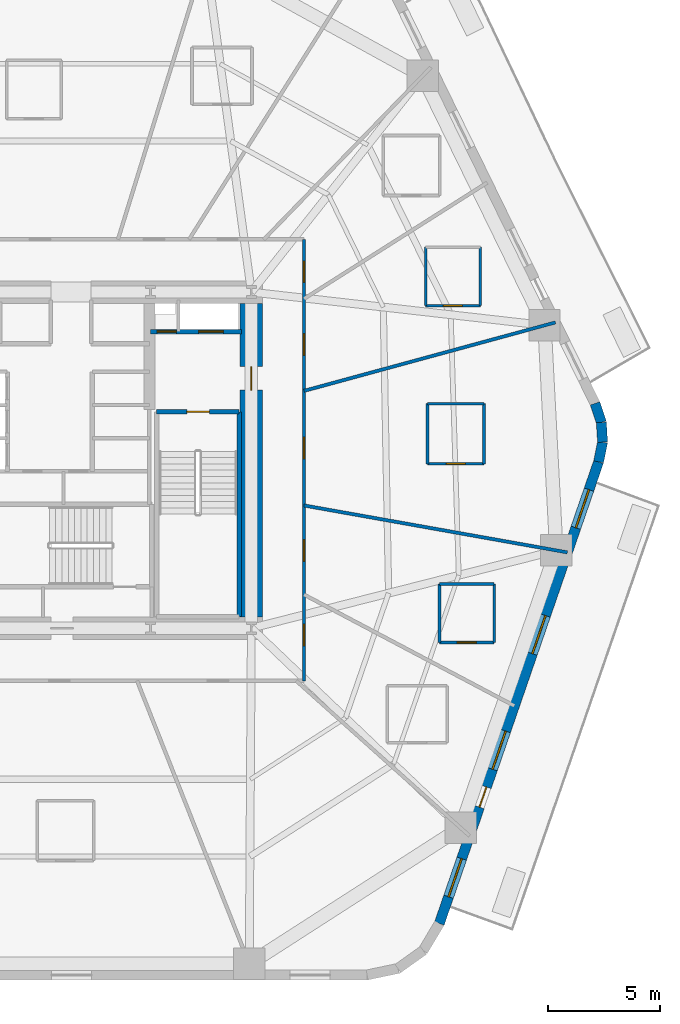
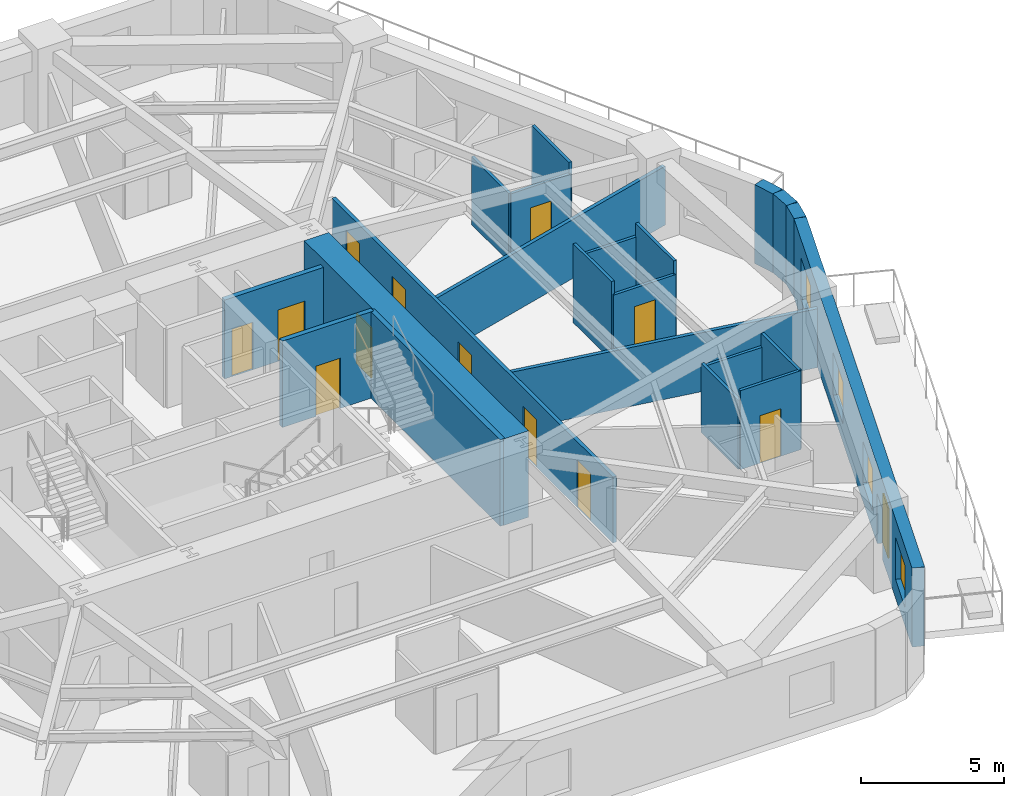
# One storey, part 5 of 10: 22 walls, 13 doors, 4 windows, 17 openings.
"""IFC4 building model written with IfcOpenShell, lengths in metres."""

from ifc_helpers import new_model, si_unit, direction, frame, frame_2d, origin, place, context, subcontext, project, spatial, rectangle, extrude, material, layer, layer_set, type_object, element, fill, save


model = new_model("IFC4")

# Units and contexts
model_context = context("Model", 3, precision=1e-05, world=origin(), true_north=direction((0.0, 1.0)))
body_context = subcontext(model_context, "Body", "Model", "MODEL_VIEW")
ifc_project = project(units=[si_unit("LENGTHUNIT", "METRE"), si_unit("AREAUNIT", "SQUARE_METRE"), si_unit("VOLUMEUNIT", "CUBIC_METRE"), si_unit("PLANEANGLEUNIT", "RADIAN"), si_unit("MASSUNIT", "GRAM", prefix="KILO")], contexts=[model_context])

# Site, building, storey
site_placement = place(None, origin())
site = spatial("IfcSite", under=ifc_project, at=site_placement, CompositionType="ELEMENT")
building_placement = place(site_placement, origin())
building = spatial("IfcBuilding", under=site, at=building_placement, Name="Kilnhurst Terrace Hotel", CompositionType="ELEMENT")
storey_placement = place(building_placement, frame((0.0, 0.0, 82.300048828125)))
storey = spatial("IfcBuildingStorey", under=building, at=storey_placement, Name="L19", CompositionType="ELEMENT", Elevation=82.300048828125)

# Walls
ifc_material_1 = material(Name="Precast concrete C40/50", Category="concrete")
ifc_layer_1 = layer(ifc_material_1, 0.449951171875, Name="Precast concrete C40/50")
ifc_layer_set_1 = layer_set([ifc_layer_1], Name="Precast concrete C40/50")
wall_type_1 = type_object("IfcWallType", Name="WL-BRK-450", PredefinedType="SOLIDWALL", material=ifc_layer_set_1)
wall_1_placement = place(storey_placement, frame((24.49560546875, -0.07666015625, 0.0), z_axis=(0.0, 0.0, 1.0), x_axis=(0.199570594521, 0.979883451132, 0.0)))
element("IfcWall", 1, at=wall_1_placement, inside=storey, type_object=wall_type_1, Name="L19 Rounded Corner Brick Wall C3.1", PredefinedType="SOLIDWALL", context=body_context, shape_type="SweptSolid", body=[
    extrude(rectangle(XDim=0.896728515625, YDim=0.449951171875, at=frame_2d((0.4482421875, 0.0))), origin(), (0.0, 0.0, 1.0), 3.3798828125),
])
wall_2_placement = place(storey_placement, frame((24.674560546875, 0.802001953125, 0.0), z_axis=(0.0, 0.0, 1.0), x_axis=(-0.061188874166, 0.998126205286, 0.0)))
element("IfcWall", 2, at=wall_2_placement, inside=storey, type_object=wall_type_1, Name="L19 Rounded Corner Brick Wall C3.2", PredefinedType="SOLIDWALL", context=body_context, shape_type="SweptSolid", body=[
    extrude(rectangle(XDim=0.8818359375, YDim=0.449951171875, at=frame_2d((0.44091796875, 0.0))), origin(), (0.0, 0.0, 1.0), 3.3798828125),
])
wall_3_placement = place(storey_placement, frame((24.62060546875, 1.68212890625, 0.0), z_axis=(0.0, 0.0, 1.0), x_axis=(-0.317697451681, 0.948192137278, 0.0)))
element("IfcWall", 3, at=wall_3_placement, inside=storey, type_object=wall_type_1, Name="L19 Rounded Corner Brick Wall C3.3", PredefinedType="SOLIDWALL", context=body_context, shape_type="SweptSolid", body=[
    extrude(rectangle(XDim=0.896728515625, YDim=0.449951171875, at=frame_2d((0.4482421875, 0.0))), origin(), (0.0, 0.0, 1.0), 3.3798828125),
])

# Wall, openings, door, windows
wall_4_placement = place(storey_placement, frame((17.3896484375, -20.678466796875, 0.0), z_axis=(0.0, 0.0, 1.0), x_axis=(0.326068018294, 0.945346310854, 0.0)))
wall_4 = element("IfcWall", 4, at=wall_4_placement, inside=storey, type_object=wall_type_1, Name="L19 Exterior Brick Facade Wall F2", PredefinedType="SOLIDWALL", context=body_context, shape_type="SweptSolid", body=[
    extrude(rectangle(XDim=21.79296875, YDim=0.449951171875, at=frame_2d((10.896484375, 0.0))), origin(), (0.0, 0.0, 1.0), 3.3798828125),
])
opening_1_placement = place(wall_4_placement, frame((5.492919921875, 0.0, 0.0)))
opening_1 = element("IfcOpeningElement", 5, at=opening_1_placement, cuts=wall_4, Name="Opening BD-950", PredefinedType="OPENING", context=body_context, shape_type="SweptSolid", body=[
    extrude(rectangle(XDim=0.949951171875, YDim=2.14990234375, at=frame_2d((0.47509765625, 1.074951171875))), frame((0.0, 0.23486328125, 0.0), z_axis=(0.0, -1.0, 0.0), x_axis=(1.0, 0.0, 0.0)), (0.0, 0.0, 1.0), 0.469970703125),
])
opening_2_placement = place(wall_4_placement, frame((1.260009765625, 0.0, 0.800048828125)))
opening_2 = element("IfcOpeningElement", 6, at=opening_2_placement, cuts=wall_4, Name="Opening W-01", PredefinedType="OPENING", context=body_context, shape_type="SweptSolid", body=[
    extrude(rectangle(XDim=1.800048828125, YDim=1.800048828125, at=frame_2d((0.89990234375, 0.89990234375))), frame((0.0, 0.23486328125, 0.0), z_axis=(0.0, -1.0, 0.0), x_axis=(1.0, 0.0, 0.0)), (0.0, 0.0, 1.0), 0.469970703125),
])
opening_3_placement = place(wall_4_placement, frame((7.282958984375, 0.0, 0.800048828125)))
opening_3 = element("IfcOpeningElement", 7, at=opening_3_placement, cuts=wall_4, Name="Opening W-01", PredefinedType="OPENING", context=body_context, shape_type="SweptSolid", body=[
    extrude(rectangle(XDim=1.800048828125, YDim=1.800048828125, at=frame_2d((0.89990234375, 0.89990234375))), frame((0.0, 0.23486328125, 0.0), z_axis=(0.0, -1.0, 0.0), x_axis=(1.0, 0.0, 0.0)), (0.0, 0.0, 1.0), 0.469970703125),
])
opening_4_placement = place(wall_4_placement, frame((12.736083984375, 0.0, 0.800048828125)))
opening_4 = element("IfcOpeningElement", 8, at=opening_4_placement, cuts=wall_4, Name="Opening W-01", PredefinedType="OPENING", context=body_context, shape_type="SweptSolid", body=[
    extrude(rectangle(XDim=1.800048828125, YDim=1.800048828125, at=frame_2d((0.89990234375, 0.89990234375))), frame((0.0, 0.23486328125, 0.0), z_axis=(0.0, -1.0, 0.0), x_axis=(1.0, 0.0, 0.0)), (0.0, 0.0, 1.0), 0.469970703125),
])
opening_5_placement = place(wall_4_placement, frame((18.679931640625, 0.0, 0.800048828125)))
opening_5 = element("IfcOpeningElement", 9, at=opening_5_placement, cuts=wall_4, Name="Opening W-01", PredefinedType="OPENING", context=body_context, shape_type="SweptSolid", body=[
    extrude(rectangle(XDim=1.800048828125, YDim=1.800048828125, at=frame_2d((0.89990234375, 0.89990234375))), frame((0.0, 0.23486328125, 0.0), z_axis=(0.0, -1.0, 0.0), x_axis=(1.0, 0.0, 0.0)), (0.0, 0.0, 1.0), 0.469970703125),
])
ifc_material_2 = material(Name="Thermally Broken Bronze Aluminium Alloy 6063-T6 and Laminated Glass", Category="aluminium")
door_type_1 = type_object("IfcDoorType", Name="DR-EXT-BAL-950", OperationType="NOTDEFINED", PredefinedType="DOOR", material=ifc_material_2)
door_1_placement = place(opening_1_placement, origin())
door_1 = element("IfcDoor", 10, at=door_1_placement, inside=storey, type_object=door_type_1, Name="L19 Planted Balcony Door BAL-L1A", OperationType="SINGLE_SWING_RIGHT", OverallHeight=2.14990234375, OverallWidth=0.949951171875, PredefinedType="DOOR", context=body_context, shape_type="SweptSolid", body=[
    extrude(rectangle(XDim=0.949951171875, YDim=2.14990234375, at=frame_2d((0.47509765625, 1.074951171875))), frame((0.0, 0.02490234375, 0.0), z_axis=(0.0, -1.0, 0.0), x_axis=(1.0, 0.0, 0.0)), (0.0, 0.0, 1.0), 0.050048828125),
])
fill(opening_1, door_1)
ifc_material_3 = material(Name="Thermally Broken Bronze Aluminium Alloy 6063-T6 and Low-E Glass", Category="aluminium")
window_type = type_object("IfcWindowType", Name="WIN-1800X1800", PartitioningType="SINGLE_PANEL", PredefinedType="WINDOW", material=ifc_material_3)
window_1_placement = place(opening_2_placement, origin())
window_1 = element("IfcWindow", 11, at=window_1_placement, inside=storey, type_object=window_type, Name="L19 Deep-Set Masonry Window F2.1", OverallHeight=1.800048828125, OverallWidth=1.800048828125, PartitioningType="SINGLE_PANEL", PredefinedType="WINDOW", context=body_context, shape_type="SweptSolid", body=[
    extrude(rectangle(XDim=1.800048828125, YDim=1.800048828125, at=frame_2d((0.89990234375, 0.89990234375))), frame((0.0, 0.030029296875, 0.0), z_axis=(0.0, -1.0, 0.0), x_axis=(1.0, 0.0, 0.0)), (0.0, 0.0, 1.0), 0.06005859375),
])
fill(opening_2, window_1)
window_2_placement = place(opening_3_placement, origin())
window_2 = element("IfcWindow", 12, at=window_2_placement, inside=storey, type_object=window_type, Name="L19 Deep-Set Masonry Window F2.2", OverallHeight=1.800048828125, OverallWidth=1.800048828125, PartitioningType="SINGLE_PANEL", PredefinedType="WINDOW", context=body_context, shape_type="SweptSolid", body=[
    extrude(rectangle(XDim=1.800048828125, YDim=1.800048828125, at=frame_2d((0.89990234375, 0.89990234375))), frame((0.0, 0.030029296875, 0.0), z_axis=(0.0, -1.0, 0.0), x_axis=(1.0, 0.0, 0.0)), (0.0, 0.0, 1.0), 0.06005859375),
])
fill(opening_3, window_2)
window_3_placement = place(opening_4_placement, origin())
window_3 = element("IfcWindow", 13, at=window_3_placement, inside=storey, type_object=window_type, Name="L19 Deep-Set Masonry Window F2.3", OverallHeight=1.800048828125, OverallWidth=1.800048828125, PartitioningType="SINGLE_PANEL", PredefinedType="WINDOW", context=body_context, shape_type="SweptSolid", body=[
    extrude(rectangle(XDim=1.800048828125, YDim=1.800048828125, at=frame_2d((0.89990234375, 0.89990234375))), frame((0.0, 0.030029296875, 0.0), z_axis=(0.0, -1.0, 0.0), x_axis=(1.0, 0.0, 0.0)), (0.0, 0.0, 1.0), 0.06005859375),
])
fill(opening_4, window_3)
window_4_placement = place(opening_5_placement, origin())
window_4 = element("IfcWindow", 14, at=window_4_placement, inside=storey, type_object=window_type, Name="L19 Deep-Set Masonry Window F2.4", OverallHeight=1.800048828125, OverallWidth=1.800048828125, PartitioningType="SINGLE_PANEL", PredefinedType="WINDOW", context=body_context, shape_type="SweptSolid", body=[
    extrude(rectangle(XDim=1.800048828125, YDim=1.800048828125, at=frame_2d((0.89990234375, 0.89990234375))), frame((0.0, 0.030029296875, 0.0), z_axis=(0.0, -1.0, 0.0), x_axis=(1.0, 0.0, 0.0)), (0.0, 0.0, 1.0), 0.06005859375),
])
fill(opening_5, window_4)

# Wall, openings, doors
ifc_material_4 = material(Name="Acoustic Double-Gypsum Corridor Partition Assembly")
ifc_layer_2 = layer(ifc_material_4, 0.14990234375, Name="Acoustic Double-Gypsum Corridor Partition Assembly")
ifc_layer_set_2 = layer_set([ifc_layer_2], Name="Acoustic Double-Gypsum Corridor Partition Assembly")
wall_type_2 = type_object("IfcWallType", Name="WL-COR-150", PredefinedType="PARTITIONING", material=ifc_layer_set_2)
wall_5_placement = place(storey_placement, frame((11.35009765625, 9.85009765625, 0.0), z_axis=(0.0, 0.0, 1.0), x_axis=(0.0, -1.0, 0.0)))
wall_5 = element("IfcWall", 15, at=wall_5_placement, inside=storey, type_object=wall_type_2, Name="L19 Interior Wall WL-L19-COR-03", PredefinedType="PARTITIONING", context=body_context, shape_type="SweptSolid", body=[
    extrude(rectangle(XDim=19.7001953125, YDim=0.14990234375, at=frame_2d((9.85009765625, 0.0))), origin(), (0.0, 0.0, 1.0), 2.820068359375),
])
opening_6_placement = place(wall_5_placement, frame((4.2080078125, 0.0, 0.0)))
opening_6 = element("IfcOpeningElement", 16, at=opening_6_placement, cuts=wall_5, Name="Opening D-60B", PredefinedType="OPENING", context=body_context, shape_type="SweptSolid", body=[
    extrude(rectangle(XDim=0.949951171875, YDim=2.030029296875, at=frame_2d((0.47509765625, 1.01513671875))), frame((0.0, 0.0849609375, 0.0), z_axis=(0.0, -1.0, 0.0), x_axis=(1.0, 0.0, 0.0)), (0.0, 0.0, 1.0), 0.169921875),
])
opening_7_placement = place(wall_5_placement, frame((0.969970703125, 0.0, 0.0)))
opening_7 = element("IfcOpeningElement", 17, at=opening_7_placement, cuts=wall_5, Name="Opening D-60B", PredefinedType="OPENING", context=body_context, shape_type="SweptSolid", body=[
    extrude(rectangle(XDim=0.949951171875, YDim=2.030029296875, at=frame_2d((0.47509765625, 1.01513671875))), frame((0.0, 0.0849609375, 0.0), z_axis=(0.0, -1.0, 0.0), x_axis=(1.0, 0.0, 0.0)), (0.0, 0.0, 1.0), 0.169921875),
])
opening_8_placement = place(wall_5_placement, frame((17.180908203125, 0.0, 0.0)))
opening_8 = element("IfcOpeningElement", 18, at=opening_8_placement, cuts=wall_5, Name="Opening D-60B", PredefinedType="OPENING", context=body_context, shape_type="SweptSolid", body=[
    extrude(rectangle(XDim=0.949951171875, YDim=2.030029296875, at=frame_2d((0.47509765625, 1.01513671875))), frame((0.0, 0.0849609375, 0.0), z_axis=(0.0, -1.0, 0.0), x_axis=(1.0, 0.0, 0.0)), (0.0, 0.0, 1.0), 0.169921875),
])
opening_9_placement = place(wall_5_placement, frame((13.403076171875, 0.0, 0.0)))
opening_9 = element("IfcOpeningElement", 19, at=opening_9_placement, cuts=wall_5, Name="Opening D-60B", PredefinedType="OPENING", context=body_context, shape_type="SweptSolid", body=[
    extrude(rectangle(XDim=0.949951171875, YDim=2.030029296875, at=frame_2d((0.47509765625, 1.01513671875))), frame((0.0, 0.0849609375, 0.0), z_axis=(0.0, -1.0, 0.0), x_axis=(1.0, 0.0, 0.0)), (0.0, 0.0, 1.0), 0.169921875),
])
opening_10_placement = place(wall_5_placement, frame((8.837890625, 0.0, 0.0)))
opening_10 = element("IfcOpeningElement", 20, at=opening_10_placement, cuts=wall_5, Name="Opening D-60B", PredefinedType="OPENING", context=body_context, shape_type="SweptSolid", body=[
    extrude(rectangle(XDim=0.949951171875, YDim=2.030029296875, at=frame_2d((0.47509765625, 1.01513671875))), frame((0.0, 0.0849609375, 0.0), z_axis=(0.0, -1.0, 0.0), x_axis=(1.0, 0.0, 0.0)), (0.0, 0.0, 1.0), 0.169921875),
])
ifc_material_5 = material(Name="Acoustic Walnut Veneer Solid-Core Fire Door")
door_type_2 = type_object("IfcDoorType", Name="DR-FD60-950", OperationType="NOTDEFINED", PredefinedType="DOOR", material=ifc_material_5)
door_2_placement = place(opening_6_placement, origin())
door_2 = element("IfcDoor", 21, at=door_2_placement, inside=storey, type_object=door_type_2, Name="L19 Guest Room Entry Door 1", OperationType="SINGLE_SWING_LEFT", OverallHeight=2.030029296875, OverallWidth=0.949951171875, PredefinedType="DOOR", context=body_context, shape_type="SweptSolid", body=[
    extrude(rectangle(XDim=0.949951171875, YDim=2.030029296875, at=frame_2d((0.47509765625, 1.01513671875))), frame((0.0, 0.02490234375, 0.0), z_axis=(0.0, -1.0, 0.0), x_axis=(1.0, 0.0, 0.0)), (0.0, 0.0, 1.0), 0.050048828125),
])
fill(opening_6, door_2)
door_3_placement = place(opening_7_placement, origin())
door_3 = element("IfcDoor", 22, at=door_3_placement, inside=storey, type_object=door_type_2, Name="L19 Guest Room Entry Door 2", OperationType="SINGLE_SWING_RIGHT", OverallHeight=2.030029296875, OverallWidth=0.949951171875, PredefinedType="DOOR", context=body_context, shape_type="SweptSolid", body=[
    extrude(rectangle(XDim=0.949951171875, YDim=2.030029296875, at=frame_2d((0.47509765625, 1.01513671875))), frame((0.0, 0.02490234375, 0.0), z_axis=(0.0, -1.0, 0.0), x_axis=(1.0, 0.0, 0.0)), (0.0, 0.0, 1.0), 0.050048828125),
])
fill(opening_7, door_3)
door_4_placement = place(opening_8_placement, origin())
door_4 = element("IfcDoor", 23, at=door_4_placement, inside=storey, type_object=door_type_2, Name="L19 Guest Room Entry Door 16", OperationType="SINGLE_SWING_RIGHT", OverallHeight=2.030029296875, OverallWidth=0.949951171875, PredefinedType="DOOR", context=body_context, shape_type="SweptSolid", body=[
    extrude(rectangle(XDim=0.949951171875, YDim=2.030029296875, at=frame_2d((0.47509765625, 1.01513671875))), frame((0.0, 0.02490234375, 0.0), z_axis=(0.0, -1.0, 0.0), x_axis=(1.0, 0.0, 0.0)), (0.0, 0.0, 1.0), 0.050048828125),
])
fill(opening_8, door_4)
door_5_placement = place(opening_9_placement, origin())
door_5 = element("IfcDoor", 24, at=door_5_placement, inside=storey, type_object=door_type_2, Name="L19 Guest Room Entry Door 17", OperationType="SINGLE_SWING_LEFT", OverallHeight=2.030029296875, OverallWidth=0.949951171875, PredefinedType="DOOR", context=body_context, shape_type="SweptSolid", body=[
    extrude(rectangle(XDim=0.949951171875, YDim=2.030029296875, at=frame_2d((0.47509765625, 1.01513671875))), frame((0.0, 0.02490234375, 0.0), z_axis=(0.0, -1.0, 0.0), x_axis=(1.0, 0.0, 0.0)), (0.0, 0.0, 1.0), 0.050048828125),
])
fill(opening_9, door_5)
door_6_placement = place(opening_10_placement, origin())
door_6 = element("IfcDoor", 25, at=door_6_placement, inside=storey, type_object=door_type_2, Name="L19 Executive Suite Entry Door 18", OperationType="SINGLE_SWING_RIGHT", OverallHeight=2.030029296875, OverallWidth=0.949951171875, PredefinedType="DOOR", context=body_context, shape_type="SweptSolid", body=[
    extrude(rectangle(XDim=0.949951171875, YDim=2.030029296875, at=frame_2d((0.47509765625, 1.01513671875))), frame((0.0, 0.02490234375, 0.0), z_axis=(0.0, -1.0, 0.0), x_axis=(1.0, 0.0, 0.0)), (0.0, 0.0, 1.0), 0.050048828125),
])
fill(opening_10, door_6)

# Wall, opening, door
ifc_material_6 = material(Name="Concrete C80/95", Category="concrete")
ifc_layer_3 = layer(ifc_material_6, 1.0, Name="Concrete C80/95")
ifc_layer_set_3 = layer_set([ifc_layer_3], Name="Concrete C80/95")
wall_type_3 = type_object("IfcWallType", Name="WL-CORE-1000", PredefinedType="SHEAR", material=ifc_layer_set_3)
wall_6_placement = place(storey_placement, frame((9.0, -7.0, 0.0), z_axis=(0.0, 0.0, 1.0), x_axis=(0.0, 1.0, 0.0)))
wall_6 = element("IfcWall", 26, at=wall_6_placement, inside=storey, type_object=wall_type_3, Name="L19 Core East Shear Wall", PredefinedType="SHEAR", context=body_context, shape_type="SweptSolid", body=[
    extrude(rectangle(XDim=14.0, YDim=1.0, at=frame_2d((7.0, 0.0))), origin(), (0.0, 0.0, 1.0), 3.699951171875),
])
opening_11_placement = place(wall_6_placement, frame((10.125, 0.0, 0.0)))
opening_11 = element("IfcOpeningElement", 27, at=opening_11_placement, cuts=wall_6, Name="Opening D-90A", PredefinedType="OPENING", context=body_context, shape_type="SweptSolid", body=[
    extrude(rectangle(XDim=1.050048828125, YDim=2.14990234375, at=frame_2d((0.52490234375, 1.074951171875))), frame((0.0, 0.510009765625, 0.0), z_axis=(0.0, -1.0, 0.0), x_axis=(1.0, 0.0, 0.0)), (0.0, 0.0, 1.0), 1.02001953125),
])
ifc_material_7 = material(Name="Painted Hollow Metal Steel ASTM A36 Fire Door", Category="steel")
door_type_3 = type_object("IfcDoorType", Name="DR-FD90-1050", OperationType="NOTDEFINED", PredefinedType="DOOR", material=ifc_material_7)
door_7_placement = place(opening_11_placement, origin())
door_7 = element("IfcDoor", 28, at=door_7_placement, inside=storey, type_object=door_type_3, Name="L19 East Firefighting Lobby Door", OperationType="SINGLE_SWING_LEFT", OverallHeight=2.14990234375, OverallWidth=1.050048828125, PredefinedType="DOOR", context=body_context, shape_type="SweptSolid", body=[
    extrude(rectangle(XDim=1.050048828125, YDim=2.14990234375, at=frame_2d((0.52490234375, 1.074951171875))), frame((0.0, 0.02490234375, 0.0), z_axis=(0.0, -1.0, 0.0), x_axis=(1.0, 0.0, 0.0)), (0.0, 0.0, 1.0), 0.050048828125),
])
fill(opening_11, door_7)

# Walls
ifc_material_8 = material(Name="STC-58 Acoustic Twin-Frame Guestroom Demising Partition")
ifc_layer_4 = layer(ifc_material_8, 0.14990234375, Name="STC-58 Acoustic Twin-Frame Guestroom Demising Partition")
ifc_layer_set_4 = layer_set([ifc_layer_4], Name="STC-58 Acoustic Twin-Frame Guestroom Demising Partition")
wall_type_4 = type_object("IfcWallType", Name="WL-DEM-150", PredefinedType="PARTITIONING", material=ifc_layer_set_4)
wall_7_placement = place(storey_placement, frame((11.35009765625, 3.0908203125, 0.0), z_axis=(0.0, 0.0, 1.0), x_axis=(0.964859685283, 0.262765651704, 0.0)))
element("IfcWall", 29, at=wall_7_placement, inside=storey, type_object=wall_type_4, Name="L19 Interior Wall WL-L19-DEM-COL01-01-1", PredefinedType="PARTITIONING", context=body_context, shape_type="SweptSolid", body=[
    extrude(rectangle(XDim=11.62890625, YDim=0.14990234375, at=frame_2d((5.814453125, 0.0))), origin(), (0.0, 0.0, 1.0), 2.52001953125),
])
wall_8_placement = place(storey_placement, frame((11.35009765625, -2.022705078125, 0.0), z_axis=(0.0, 0.0, 1.0), x_axis=(0.984493741877, -0.17541970301, 0.0)))
element("IfcWall", 30, at=wall_8_placement, inside=storey, type_object=wall_type_4, Name="L19 Interior Wall WL-L19-DEM-COL12-18-1", PredefinedType="PARTITIONING", context=body_context, shape_type="SweptSolid", body=[
    extrude(rectangle(XDim=11.93701171875, YDim=0.14990234375, at=frame_2d((5.968505859375, 0.0))), origin(), (0.0, 0.0, 1.0), 2.52001953125),
])

# Wall, opening, door
ifc_material_9 = material(Name="120 mm Moisture-Resistant Tile-Backed Bathroom Partition")
ifc_layer_5 = layer(ifc_material_9, 0.1201171875, Name="120 mm Moisture-Resistant Tile-Backed Bathroom Partition")
ifc_layer_set_5 = layer_set([ifc_layer_5], Name="120 mm Moisture-Resistant Tile-Backed Bathroom Partition")
wall_type_5 = type_object("IfcWallType", Name="WL-PART-120", PredefinedType="PARTITIONING", material=ifc_layer_set_5)
wall_9_placement = place(storey_placement, frame((16.77587890625, 6.89208984375, 0.0), z_axis=(0.0, 0.0, 1.0), x_axis=(1.0, 0.0, 0.0)))
wall_9 = element("IfcWall", 31, at=wall_9_placement, inside=storey, type_object=wall_type_5, Name="L19 Interior Wall WL-L19-BTH-01-1", PredefinedType="PARTITIONING", context=body_context, shape_type="SweptSolid", body=[
    extrude(rectangle(XDim=2.440185546875, YDim=0.1201171875, at=frame_2d((1.22021484375, 0.0))), origin(), (0.0, 0.0, 1.0), 2.906494140625),
])
opening_12_placement = place(wall_9_placement, frame((0.794921875, 0.0, 0.0)))
opening_12 = element("IfcOpeningElement", 32, at=opening_12_placement, cuts=wall_9, Name="Opening D-08A", PredefinedType="OPENING", context=body_context, shape_type="SweptSolid", body=[
    extrude(rectangle(XDim=0.85009765625, YDim=2.030029296875, at=frame_2d((0.425048828125, 1.01513671875))), frame((0.0, 0.070068359375, 0.0), z_axis=(0.0, -1.0, 0.0), x_axis=(1.0, 0.0, 0.0)), (0.0, 0.0, 1.0), 0.14013671875),
])
ifc_material_10 = material(Name="Moisture-Resistant Lacquered En-suite Bathroom Door")
door_type_4 = type_object("IfcDoorType", Name="DR-INT-850", OperationType="NOTDEFINED", PredefinedType="DOOR", material=ifc_material_10)
door_8_placement = place(opening_12_placement, origin())
door_8 = element("IfcDoor", 33, at=door_8_placement, inside=storey, type_object=door_type_4, Name="L19 En-suite Bathroom Door 1", OperationType="SINGLE_SWING_RIGHT", OverallHeight=2.030029296875, OverallWidth=0.85009765625, PredefinedType="DOOR", context=body_context, shape_type="SweptSolid", body=[
    extrude(rectangle(XDim=0.85009765625, YDim=2.030029296875, at=frame_2d((0.425048828125, 1.01513671875))), frame((0.0, 0.02490234375, 0.0), z_axis=(0.0, -1.0, 0.0), x_axis=(1.0, 0.0, 0.0)), (0.0, 0.0, 1.0), 0.050048828125),
])
fill(opening_12, door_8)

# Walls
wall_10_placement = place(storey_placement, frame((19.216064453125, 6.89208984375, 0.0), z_axis=(0.0, 0.0, 1.0), x_axis=(0.0, 1.0, 0.0)))
element("IfcWall", 34, at=wall_10_placement, inside=storey, type_object=wall_type_5, Name="L19 Interior Wall WL-L19-BTH-01-2", PredefinedType="PARTITIONING", context=body_context, shape_type="SweptSolid", body=[
    extrude(rectangle(XDim=2.60986328125, YDim=0.1201171875, at=frame_2d((1.304931640625, 0.0))), origin(), (0.0, 0.0, 1.0), 3.3798828125),
])
wall_11_placement = place(storey_placement, frame((16.77587890625, 9.501953125, 0.0), z_axis=(0.0, 0.0, 1.0), x_axis=(0.0, -1.0, 0.0)))
element("IfcWall", 35, at=wall_11_placement, inside=storey, type_object=wall_type_5, Name="L19 Interior Wall WL-L19-BTH-01-4", PredefinedType="PARTITIONING", context=body_context, shape_type="SweptSolid", body=[
    extrude(rectangle(XDim=2.60986328125, YDim=0.1201171875, at=frame_2d((1.304931640625, 0.0))), origin(), (0.0, 0.0, 1.0), 2.906494140625),
])

# Wall, opening, door
wall_12_placement = place(storey_placement, frame((17.39404296875, -8.137939453125, 0.0), z_axis=(0.0, 0.0, 1.0), x_axis=(1.0, 0.0, 0.0)))
wall_12 = element("IfcWall", 36, at=wall_12_placement, inside=storey, type_object=wall_type_5, Name="L19 Interior Wall WL-L19-BTH-17-1", PredefinedType="PARTITIONING", context=body_context, shape_type="SweptSolid", body=[
    extrude(rectangle(XDim=2.43994140625, YDim=0.1201171875, at=frame_2d((1.219970703125, 0.0))), origin(), (0.0, 0.0, 1.0), 3.3798828125),
])
opening_13_placement = place(wall_12_placement, frame((0.794921875, 0.0, 0.0)))
opening_13 = element("IfcOpeningElement", 37, at=opening_13_placement, cuts=wall_12, Name="Opening D-08A", PredefinedType="OPENING", context=body_context, shape_type="SweptSolid", body=[
    extrude(rectangle(XDim=0.85009765625, YDim=2.030029296875, at=frame_2d((0.425048828125, 1.01513671875))), frame((0.0, 0.070068359375, 0.0), z_axis=(0.0, -1.0, 0.0), x_axis=(1.0, 0.0, 0.0)), (0.0, 0.0, 1.0), 0.14013671875),
])
door_9_placement = place(opening_13_placement, origin())
door_9 = element("IfcDoor", 38, at=door_9_placement, inside=storey, type_object=door_type_4, Name="L19 En-suite Bathroom Door 17", OperationType="SINGLE_SWING_RIGHT", OverallHeight=2.030029296875, OverallWidth=0.85009765625, PredefinedType="DOOR", context=body_context, shape_type="SweptSolid", body=[
    extrude(rectangle(XDim=0.85009765625, YDim=2.030029296875, at=frame_2d((0.425048828125, 1.01513671875))), frame((0.0, 0.02490234375, 0.0), z_axis=(0.0, -1.0, 0.0), x_axis=(1.0, 0.0, 0.0)), (0.0, 0.0, 1.0), 0.050048828125),
])
fill(opening_13, door_9)

# Walls
wall_13_placement = place(storey_placement, frame((19.833984375, -8.137939453125, 0.0), z_axis=(0.0, 0.0, 1.0), x_axis=(0.0, 1.0, 0.0)))
element("IfcWall", 39, at=wall_13_placement, inside=storey, type_object=wall_type_5, Name="L19 Interior Wall WL-L19-BTH-17-2", PredefinedType="PARTITIONING", context=body_context, shape_type="SweptSolid", body=[
    extrude(rectangle(XDim=2.60986328125, YDim=0.1201171875, at=frame_2d((1.304931640625, 0.0))), origin(), (0.0, 0.0, 1.0), 3.3798828125),
])
wall_14_placement = place(storey_placement, frame((19.833984375, -5.528076171875, 0.0), z_axis=(0.0, 0.0, 1.0), x_axis=(-1.0, 0.0, 0.0)))
element("IfcWall", 40, at=wall_14_placement, inside=storey, type_object=wall_type_5, Name="L19 Interior Wall WL-L19-BTH-17-3", PredefinedType="PARTITIONING", context=body_context, shape_type="SweptSolid", body=[
    extrude(rectangle(XDim=2.43994140625, YDim=0.1201171875, at=frame_2d((1.219970703125, 0.0))), origin(), (0.0, 0.0, 1.0), 2.820068359375),
])
wall_15_placement = place(storey_placement, frame((17.39404296875, -5.528076171875, 0.0), z_axis=(0.0, 0.0, 1.0), x_axis=(0.0, -1.0, 0.0)))
element("IfcWall", 41, at=wall_15_placement, inside=storey, type_object=wall_type_5, Name="L19 Interior Wall WL-L19-BTH-17-4", PredefinedType="PARTITIONING", context=body_context, shape_type="SweptSolid", body=[
    extrude(rectangle(XDim=2.60986328125, YDim=0.1201171875, at=frame_2d((1.304931640625, 0.0))), origin(), (0.0, 0.0, 1.0), 2.9521484375),
])

# Wall, opening, door
wall_16_placement = place(storey_placement, frame((16.864990234375, -0.162109375, 0.0), z_axis=(0.0, 0.0, 1.0), x_axis=(1.0, 0.0, 0.0)))
wall_16 = element("IfcWall", 42, at=wall_16_placement, inside=storey, type_object=wall_type_5, Name="L19 Interior Wall WL-L19-BTH-18-1", PredefinedType="PARTITIONING", context=body_context, shape_type="SweptSolid", body=[
    extrude(rectangle(XDim=2.52001953125, YDim=0.1201171875, at=frame_2d((1.260009765625, 0.0))), origin(), (0.0, 0.0, 1.0), 2.8203125),
])
opening_14_placement = place(wall_16_placement, frame((0.8349609375, 0.0, 0.0)))
opening_14 = element("IfcOpeningElement", 43, at=opening_14_placement, cuts=wall_16, Name="Opening D-08A", PredefinedType="OPENING", context=body_context, shape_type="SweptSolid", body=[
    extrude(rectangle(XDim=0.85009765625, YDim=2.030029296875, at=frame_2d((0.425048828125, 1.01513671875))), frame((0.0, 0.070068359375, 0.0), z_axis=(0.0, -1.0, 0.0), x_axis=(1.0, 0.0, 0.0)), (0.0, 0.0, 1.0), 0.14013671875),
])
door_10_placement = place(opening_14_placement, origin())
door_10 = element("IfcDoor", 44, at=door_10_placement, inside=storey, type_object=door_type_4, Name="L19 En-suite Bathroom Door 18", OperationType="SINGLE_SWING_LEFT", OverallHeight=2.030029296875, OverallWidth=0.85009765625, PredefinedType="DOOR", context=body_context, shape_type="SweptSolid", body=[
    extrude(rectangle(XDim=0.85009765625, YDim=2.030029296875, at=frame_2d((0.425048828125, 1.01513671875))), frame((0.0, 0.02490234375, 0.0), z_axis=(0.0, -1.0, 0.0), x_axis=(1.0, 0.0, 0.0)), (0.0, 0.0, 1.0), 0.050048828125),
])
fill(opening_14, door_10)

# Walls
wall_17_placement = place(storey_placement, frame((19.385009765625, -0.162109375, 0.0), z_axis=(0.0, 0.0, 1.0), x_axis=(0.0, 1.0, 0.0)))
element("IfcWall", 45, at=wall_17_placement, inside=storey, type_object=wall_type_5, Name="L19 Interior Wall WL-L19-BTH-18-2", PredefinedType="PARTITIONING", context=body_context, shape_type="SweptSolid", body=[
    extrude(rectangle(XDim=2.68017578125, YDim=0.1201171875, at=frame_2d((1.340087890625, 0.0))), origin(), (0.0, 0.0, 1.0), 3.3798828125),
])
wall_18_placement = place(storey_placement, frame((19.385009765625, 2.51806640625, 0.0), z_axis=(0.0, 0.0, 1.0), x_axis=(-1.0, 0.0, 0.0)))
element("IfcWall", 46, at=wall_18_placement, inside=storey, type_object=wall_type_5, Name="L19 Interior Wall WL-L19-BTH-18-3", PredefinedType="PARTITIONING", context=body_context, shape_type="SweptSolid", body=[
    extrude(rectangle(XDim=2.52001953125, YDim=0.1201171875, at=frame_2d((1.260009765625, 0.0))), origin(), (0.0, 0.0, 1.0), 2.8203125),
])
wall_19_placement = place(storey_placement, frame((16.864990234375, 2.51806640625, 0.0), z_axis=(0.0, 0.0, 1.0), x_axis=(0.0, -1.0, 0.0)))
element("IfcWall", 47, at=wall_19_placement, inside=storey, type_object=wall_type_5, Name="L19 Interior Wall WL-L19-BTH-18-4", PredefinedType="PARTITIONING", context=body_context, shape_type="SweptSolid", body=[
    extrude(rectangle(XDim=2.68017578125, YDim=0.1201171875, at=frame_2d((1.340087890625, 0.0))), origin(), (0.0, 0.0, 1.0), 3.3798828125),
])

# Wall, openings, doors
ifc_material_11 = material(Name="Autoclaved Aerated Concrete C30/37 and Gypsum Shaft Assembly", Category="concrete")
ifc_layer_6 = layer(ifc_material_11, 0.199951171875, Name="Autoclaved Aerated Concrete C30/37 and Gypsum Shaft Assembly")
ifc_layer_set_6 = layer_set([ifc_layer_6], Name="Autoclaved Aerated Concrete C30/37 and Gypsum Shaft Assembly")
wall_type_6 = type_object("IfcWallType", Name="WL-SHAFT-200", PredefinedType="PARTITIONING", material=ifc_layer_set_6)
wall_20_placement = place(storey_placement, frame((4.5, 5.739990234375, 0.0), z_axis=(0.0, 0.0, 1.0), x_axis=(1.0, 0.0, 0.0)))
wall_20 = element("IfcWall", 48, at=wall_20_placement, inside=storey, type_object=wall_type_6, Name="L19 Interior Wall WL-L19-FSAE2-S", PredefinedType="PARTITIONING", context=body_context, shape_type="SweptSolid", body=[
    extrude(rectangle(XDim=4.050048828125, YDim=0.199951171875, at=frame_2d((2.02490234375, 0.0))), origin(), (0.0, 0.0, 1.0), 3.3798828125),
])
opening_15_placement = place(wall_20_placement, frame((0.300048828125, 0.0, 0.0)))
opening_15 = element("IfcOpeningElement", 49, at=opening_15_placement, cuts=wall_20, Name="Opening D-60D", PredefinedType="OPENING", context=body_context, shape_type="SweptSolid", body=[
    extrude(rectangle(XDim=0.85009765625, YDim=2.030029296875, at=frame_2d((0.425048828125, 1.01513671875))), frame((0.0, 0.10986328125, 0.0), z_axis=(0.0, -1.0, 0.0), x_axis=(1.0, 0.0, 0.0)), (0.0, 0.0, 1.0), 0.219970703125),
])
opening_16_placement = place(wall_20_placement, frame((2.14990234375, 0.0, 0.0)))
opening_16 = element("IfcOpeningElement", 50, at=opening_16_placement, cuts=wall_20, Name="Opening LD-F2", PredefinedType="OPENING", context=body_context, shape_type="SweptSolid", body=[
    extrude(rectangle(XDim=1.10009765625, YDim=2.199951171875, at=frame_2d((0.550048828125, 1.10009765625))), frame((0.0, 0.10986328125, 0.0), z_axis=(0.0, -1.0, 0.0), x_axis=(1.0, 0.0, 0.0)), (0.0, 0.0, 1.0), 0.219970703125),
])
ifc_material_12 = material(Name="Painted Hollow Metal Steel ASTM A36 Riser Door", Category="steel")
door_type_5 = type_object("IfcDoorType", Name="DR-FD60-850", OperationType="NOTDEFINED", PredefinedType="DOOR", material=ifc_material_12)
door_11_placement = place(opening_15_placement, origin())
door_11 = element("IfcDoor", 51, at=door_11_placement, inside=storey, type_object=door_type_5, Name="L19 Telecom Riser Door", OperationType="SINGLE_SWING_RIGHT", OverallHeight=2.030029296875, OverallWidth=0.85009765625, PredefinedType="DOOR", context=body_context, shape_type="SweptSolid", body=[
    extrude(rectangle(XDim=0.85009765625, YDim=2.030029296875, at=frame_2d((0.425048828125, 1.01513671875))), frame((0.0, 0.02490234375, 0.0), z_axis=(0.0, -1.0, 0.0), x_axis=(1.0, 0.0, 0.0)), (0.0, 0.0, 1.0), 0.050048828125),
])
fill(opening_15, door_11)
ifc_material_13 = material(Name="Bronze-Anodized Stainless Steel AISI 316L Sliding Door", Category="steel")
door_type_6 = type_object("IfcDoorType", Name="DR-LIFT-1100", OperationType="NOTDEFINED", PredefinedType="DOOR", material=ifc_material_13)
door_12_placement = place(opening_16_placement, origin())
door_12 = element("IfcDoor", 52, at=door_12_placement, inside=storey, type_object=door_type_6, Name="L19 FSAE-2 Landing Door", OperationType="SLIDING_TO_RIGHT", OverallHeight=2.199951171875, OverallWidth=1.10009765625, PredefinedType="DOOR", context=body_context, shape_type="SweptSolid", body=[
    extrude(rectangle(XDim=1.10009765625, YDim=2.199951171875, at=frame_2d((0.550048828125, 1.10009765625))), frame((0.0, 0.02490234375, 0.0), z_axis=(0.0, -1.0, 0.0), x_axis=(1.0, 0.0, 0.0)), (0.0, 0.0, 1.0), 0.050048828125),
])
fill(opening_16, door_12)

# Wall
ifc_material_14 = material(Name="Concrete C50/60", Category="concrete")
ifc_layer_7 = layer(ifc_material_14, 0.199951171875, Name="Concrete C50/60")
ifc_layer_set_7 = layer_set([ifc_layer_7], Name="Concrete C50/60")
wall_type_7 = type_object("IfcWallType", Name="WL-STAIR-RC-200", PredefinedType="SHEAR", material=ifc_layer_set_7)
wall_21_placement = place(storey_placement, frame((8.4580078125, -6.985107421875, 0.0), z_axis=(0.0, 0.0, 1.0), x_axis=(0.0, 1.0, 0.0)))
element("IfcWall", 53, at=wall_21_placement, inside=storey, type_object=wall_type_7, Name="L19 Structural Stair Shaft Wall WL-L19-ST2-E", PredefinedType="SHEAR", context=body_context, shape_type="SweptSolid", body=[
    extrude(rectangle(XDim=9.14306640625, YDim=0.199951171875, at=frame_2d((4.571533203125, 0.0))), origin(), (0.0, 0.0, 1.0), 3.699951171875),
])

# Wall, opening, door
wall_22_placement = place(storey_placement, frame((4.77197265625, 2.157958984375, 0.0), z_axis=(0.0, 0.0, 1.0), x_axis=(1.0, 0.0, 0.0)))
wall_22 = element("IfcWall", 54, at=wall_22_placement, inside=storey, type_object=wall_type_7, Name="L19 Structural Stair Shaft Wall WL-L19-ST2-N", PredefinedType="SHEAR", context=body_context, shape_type="SweptSolid", body=[
    extrude(rectangle(XDim=3.68603515625, YDim=0.199951171875, at=frame_2d((1.843017578125, 0.0))), origin(), (0.0, 0.0, 1.0), 3.699951171875),
])
opening_17_placement = place(wall_22_placement, frame((1.35009765625, 0.0, 0.0)))
opening_17 = element("IfcOpeningElement", 55, at=opening_17_placement, cuts=wall_22, Name="Opening D-90B", PredefinedType="OPENING", context=body_context, shape_type="SweptSolid", body=[
    extrude(rectangle(XDim=1.0, YDim=2.14990234375, at=frame_2d((0.5, 1.074951171875))), frame((0.0, 0.10986328125, 0.0), z_axis=(0.0, -1.0, 0.0), x_axis=(1.0, 0.0, 0.0)), (0.0, 0.0, 1.0), 0.219970703125),
])
door_type_7 = type_object("IfcDoorType", Name="DR-FD90-1000", OperationType="NOTDEFINED", PredefinedType="DOOR", material=ifc_material_7)
door_13_placement = place(opening_17_placement, origin())
door_13 = element("IfcDoor", 56, at=door_13_placement, inside=storey, type_object=door_type_7, Name="L19 Stair ST-2 Door", OperationType="SINGLE_SWING_RIGHT", OverallHeight=2.14990234375, OverallWidth=1.0, PredefinedType="DOOR", context=body_context, shape_type="SweptSolid", body=[
    extrude(rectangle(XDim=1.0, YDim=2.14990234375, at=frame_2d((0.5, 1.074951171875))), frame((0.0, 0.02490234375, 0.0), z_axis=(0.0, -1.0, 0.0), x_axis=(1.0, 0.0, 0.0)), (0.0, 0.0, 1.0), 0.050048828125),
])
fill(opening_17, door_13)

save(model, "model.ifc")
